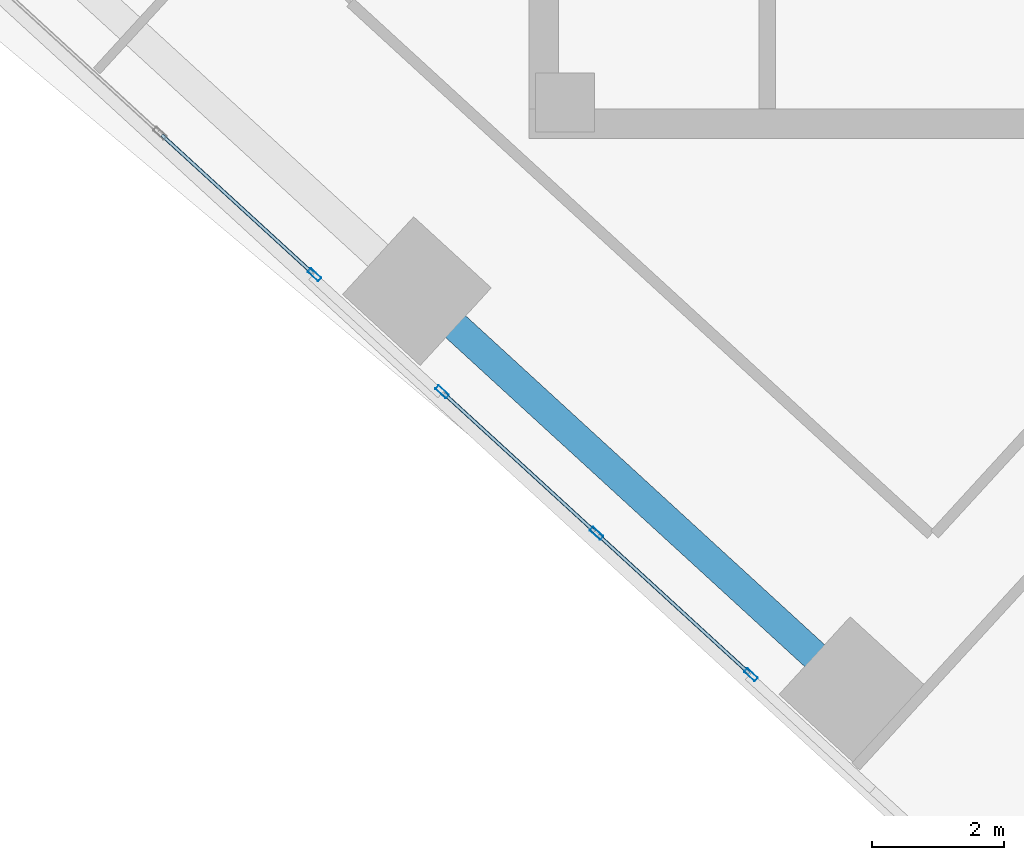
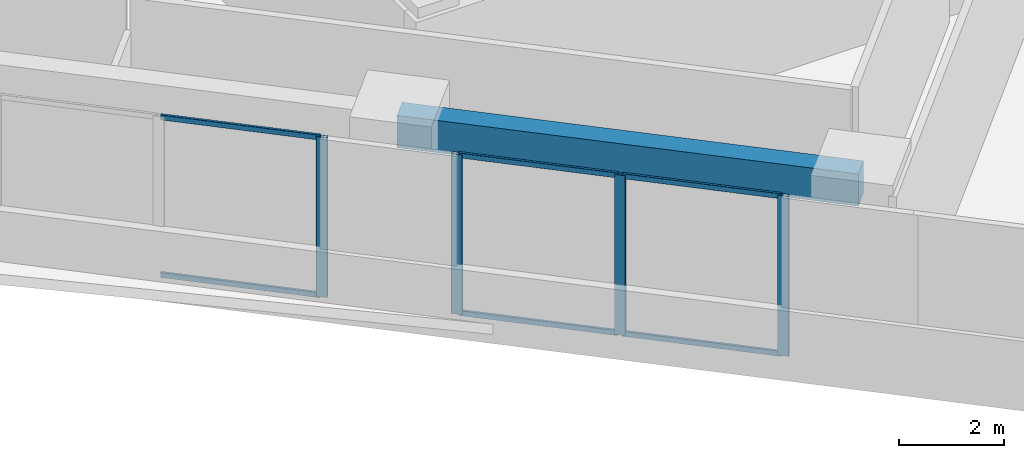
# One storey, part 2 of 19: 10 members, 1 beam, 2 elements without a shape of their own.
"""IFC4 building model written with IfcOpenShell, lengths in metres."""

from ifc_helpers import new_model, si_unit, direction, frame, origin, origin_2d, place, context, subcontext, project, spatial, rectangle, hollow_rectangle, extrude, source, transform, mapped, material, material_profile, profile_set, type_object, element, aggregate, save


model = new_model("IFC4")

# Units and contexts
model_context = context("Model", 3, precision=1e-05, world=origin(), true_north=direction((0.0, 1.0)))
body_context = subcontext(model_context, "Body", "Model", "MODEL_VIEW")
ifc_project = project(units=[si_unit("LENGTHUNIT", "METRE"), si_unit("AREAUNIT", "SQUARE_METRE"), si_unit("VOLUMEUNIT", "CUBIC_METRE"), si_unit("PLANEANGLEUNIT", "RADIAN"), si_unit("MASSUNIT", "GRAM", prefix="KILO")], contexts=[model_context])

# Site, building, storey
site_placement = place(None, origin())
site = spatial("IfcSite", under=ifc_project, at=site_placement, CompositionType="ELEMENT")
building_placement = place(site_placement, origin())
building = spatial("IfcBuilding", under=site, at=building_placement, Name="Torre Montelarca", CompositionType="ELEMENT")
storey_placement = place(building_placement, frame((0.0, 0.0, 229.0)))
storey = spatial("IfcBuildingStorey", under=building, at=storey_placement, Name="L51", CompositionType="ELEMENT", Elevation=229.0)

# Beam
ifc_material_1 = material(Name="Concrete C55/67", Category="concrete")
ifc_material_profile_1 = material_profile(ifc_material_1, rectangle(XDim=0.449951171875, YDim=0.75, at=origin_2d()), Name="RCB450X750", Category="concrete")
ifc_profile_set_1 = profile_set([ifc_material_profile_1], Name="Concrete C55/67")
beam_type = type_object("IfcBeamType", Name="BM-SP-RC750-EXT", PredefinedType="SPANDREL", material=ifc_profile_set_1)
shared_shape_1 = source(origin(), body_context, "Body", "SweptSolid", [
    extrude(rectangle(XDim=0.449951171875, YDim=0.75, at=origin_2d()), origin(), (0.0, 0.0, 1.0), 9.0),
])
beam_placement = place(storey_placement, frame((7.29931640625, 21.683349609375, 3.5849609375), z_axis=(0.73727686361, -0.675590724023, 0.0), x_axis=(0.675590724023, 0.73727686361, 0.0)))
element("IfcBeam", 1, at=beam_placement, inside=storey, type_object=beam_type, Name="L51 Grid Girder X 18.0-27.0 at Y=14.8", PredefinedType="SPANDREL", context=body_context, shape_type="MappedRepresentation", body=[
    mapped(shared_shape_1, transform((0.0, 0.0, 0.0), scale=1.0)),
])

# Curtain wall, member
ifc_material_2 = material(Name="Insulated low-E laminated glass", Category="glass")
curtain_wall_type = type_object("IfcCurtainWallType", Name="CW-SYS-Z3", PredefinedType="USERDEFINED", material=ifc_material_2)
curtain_wall_1_placement = place(storey_placement, origin())
curtain_wall_1 = element("IfcCurtainWall", 2, at=curtain_wall_1_placement, inside=storey, type_object=curtain_wall_type, Name="L51 Curtain Wall Run CW-T3-L51-E01-B1", ObjectType="UNITISED GLAZING", PredefinedType="USERDEFINED")
ifc_material_3 = material(Name="Anodised aluminium AA 6063-T6", Category="aluminium")
ifc_material_profile_2 = material_profile(ifc_material_3, hollow_rectangle(XDim=0.074951171875, YDim=0.219970703125, WallThickness=0.0048828125, InnerFilletRadius=0.0048828125, OuterFilletRadius=0.010009765625, at=origin_2d()), Name="ALU75X220X5", Category="aluminium")
ifc_profile_set_2 = profile_set([ifc_material_profile_2], Name="Anodised aluminium AA 6063-T6")
member_type_1 = type_object("IfcMemberType", Name="CWM-ALU220", PredefinedType="MULLION", material=ifc_profile_set_2)
shared_shape_2 = source(origin(), body_context, "Body", "SweptSolid", [
    extrude(hollow_rectangle(XDim=0.074951171875, YDim=0.219970703125, WallThickness=0.0048828125, InnerFilletRadius=0.0048828125, OuterFilletRadius=0.010009765625, at=origin_2d()), origin(), (0.0, 0.0, 1.0), 3.719970703125),
])
member_1_placement = place(storey_placement, frame((5.740234375, 21.93212890625, 0.0), z_axis=(0.0, 0.0, 1.0), x_axis=(0.675587502621, 0.737279815472, 0.0)))
member_1 = element("IfcMember", 3, at=member_1_placement, type_object=member_type_1, Name="CW mullion 3", PredefinedType="MULLION", context=body_context, shape_type="MappedRepresentation", body=[
    mapped(shared_shape_2, transform((0.0, 0.0, 0.0), scale=1.0)),
])

# Curtain wall, members
curtain_wall_2_placement = place(storey_placement, origin())
curtain_wall_2 = element("IfcCurtainWall", 4, at=curtain_wall_2_placement, inside=storey, type_object=curtain_wall_type, Name="L51 Curtain Wall Run CW-T3-L51-E01-B2", ObjectType="UNITISED GLAZING", PredefinedType="USERDEFINED")
member_2_placement = place(storey_placement, frame((7.682861328125, 20.15185546875, 0.0), z_axis=(0.0, 0.0, 1.0), x_axis=(0.675587502621, 0.737279815472, 0.0)))
member_2 = element("IfcMember", 5, at=member_2_placement, type_object=member_type_1, Name="CW mullion 1", PredefinedType="MULLION", context=body_context, shape_type="MappedRepresentation", body=[
    mapped(shared_shape_2, transform((0.0, 0.0, 0.0), scale=1.0)),
])
member_3_placement = place(storey_placement, frame((10.029296875, 18.001708984375, 0.0), z_axis=(0.0, 0.0, 1.0), x_axis=(0.675587502621, 0.737279815472, 0.0)))
member_3 = element("IfcMember", 6, at=member_3_placement, type_object=member_type_1, Name="CW mullion 2", PredefinedType="MULLION", context=body_context, shape_type="MappedRepresentation", body=[
    mapped(shared_shape_2, transform((0.0, 0.0, 0.0), scale=1.0)),
])
member_4_placement = place(storey_placement, frame((12.375732421875, 15.851806640625, 0.0), z_axis=(0.0, 0.0, 1.0), x_axis=(0.675587502621, 0.737279815472, 0.0)))
member_4 = element("IfcMember", 7, at=member_4_placement, type_object=member_type_1, Name="CW mullion 3", PredefinedType="MULLION", context=body_context, shape_type="MappedRepresentation", body=[
    mapped(shared_shape_2, transform((0.0, 0.0, 0.0), scale=1.0)),
])
ifc_material_profile_3 = material_profile(ifc_material_3, hollow_rectangle(XDim=0.054931640625, YDim=0.1201171875, WallThickness=0.00341796875, InnerFilletRadius=0.00341796875, OuterFilletRadius=0.007080078125, at=origin_2d()), Name="ALU55X120X3.5", Category="aluminium")
ifc_profile_set_3 = profile_set([ifc_material_profile_3], Name="Anodised aluminium AA 6063-T6")
member_type_2 = type_object("IfcMemberType", Name="CWT-ALU120", PredefinedType="USERDEFINED", material=ifc_profile_set_3)
shared_shape_3 = source(origin(), body_context, "Body", "SweptSolid", [
    extrude(hollow_rectangle(XDim=0.054931640625, YDim=0.1201171875, WallThickness=0.00341796875, InnerFilletRadius=0.00341796875, OuterFilletRadius=0.007080078125, at=origin_2d()), origin(), (0.0, 0.0, 1.0), 3.107421875),
])
member_5_placement = place(storey_placement, frame((7.710693359375, 20.12646484375, 0.027587890625), z_axis=(0.737271534665, -0.675596539491, 0.0), x_axis=(0.675596539491, 0.737271534665, 0.0)))
member_5 = element("IfcMember", 8, at=member_5_placement, type_object=member_type_2, Name="CW transom 1.1", ObjectType="TRANSOM", PredefinedType="USERDEFINED", context=body_context, shape_type="MappedRepresentation", body=[
    mapped(shared_shape_3, transform((0.0, 0.0, 0.0), scale=1.0)),
])
member_6_placement = place(storey_placement, frame((7.710693359375, 20.12646484375, 3.6923828125), z_axis=(0.737271534665, -0.675596539491, 0.0), x_axis=(0.675596539491, 0.737271534665, 0.0)))
member_6 = element("IfcMember", 9, at=member_6_placement, type_object=member_type_2, Name="CW transom 1.2", ObjectType="TRANSOM", PredefinedType="USERDEFINED", context=body_context, shape_type="MappedRepresentation", body=[
    mapped(shared_shape_3, transform((0.0, 0.0, 0.0), scale=1.0)),
])

# Member
shared_shape_4 = source(origin(), body_context, "Body", "SweptSolid", [
    extrude(hollow_rectangle(XDim=0.054931640625, YDim=0.1201171875, WallThickness=0.00341796875, InnerFilletRadius=0.00341796875, OuterFilletRadius=0.007080078125, at=origin_2d()), origin(), (0.0, 0.0, 1.0), 3.107666015625),
])
member_7_placement = place(storey_placement, frame((3.42138671875, 24.056884765625, 0.027587890625), z_axis=(0.737268261341, -0.675600111618, 0.0), x_axis=(0.675600111618, 0.737268261341, 0.0)))
member_7 = element("IfcMember", 10, at=member_7_placement, type_object=member_type_2, Name="CW transom 2.1", ObjectType="TRANSOM", PredefinedType="USERDEFINED", context=body_context, shape_type="MappedRepresentation", body=[
    mapped(shared_shape_4, transform((0.0, 0.0, 0.0), scale=1.0)),
])

member_8_placement = place(storey_placement, frame((3.42138671875, 24.056884765625, 3.6923828125), z_axis=(0.737268261341, -0.675600111618, 0.0), x_axis=(0.675600111618, 0.737268261341, 0.0)))
member_8 = element("IfcMember", 11, at=member_8_placement, type_object=member_type_2, Name="CW transom 2.2", ObjectType="TRANSOM", PredefinedType="USERDEFINED", context=body_context, shape_type="MappedRepresentation", body=[
    mapped(shared_shape_4, transform((0.0, 0.0, 0.0), scale=1.0)),
])

aggregate(curtain_wall_1, [member_1, member_7, member_8])

member_9_placement = place(storey_placement, frame((10.056884765625, 17.9765625, 0.027587890625), z_axis=(0.737268261341, -0.675600111618, 0.0), x_axis=(0.675600111618, 0.737268261341, 0.0)))
member_9 = element("IfcMember", 12, at=member_9_placement, type_object=member_type_2, Name="CW transom 2.1", ObjectType="TRANSOM", PredefinedType="USERDEFINED", context=body_context, shape_type="MappedRepresentation", body=[
    mapped(shared_shape_4, transform((0.0, 0.0, 0.0), scale=1.0)),
])

member_10_placement = place(storey_placement, frame((10.056884765625, 17.9765625, 3.6923828125), z_axis=(0.737268261341, -0.675600111618, 0.0), x_axis=(0.675600111618, 0.737268261341, 0.0)))
member_10 = element("IfcMember", 13, at=member_10_placement, type_object=member_type_2, Name="CW transom 2.2", ObjectType="TRANSOM", PredefinedType="USERDEFINED", context=body_context, shape_type="MappedRepresentation", body=[
    mapped(shared_shape_4, transform((0.0, 0.0, 0.0), scale=1.0)),
])

aggregate(curtain_wall_2, [member_2, member_3, member_4, member_5, member_6, member_9, member_10])

save(model, "model.ifc")
